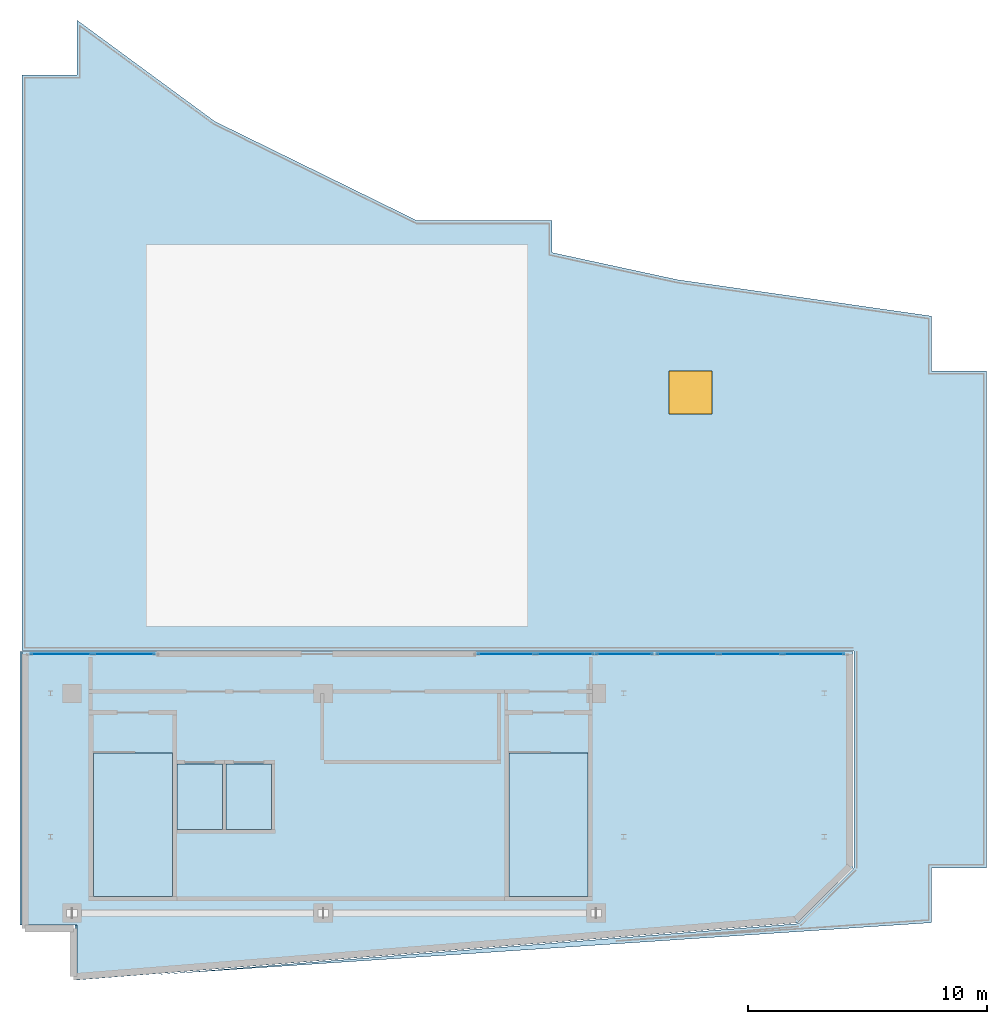
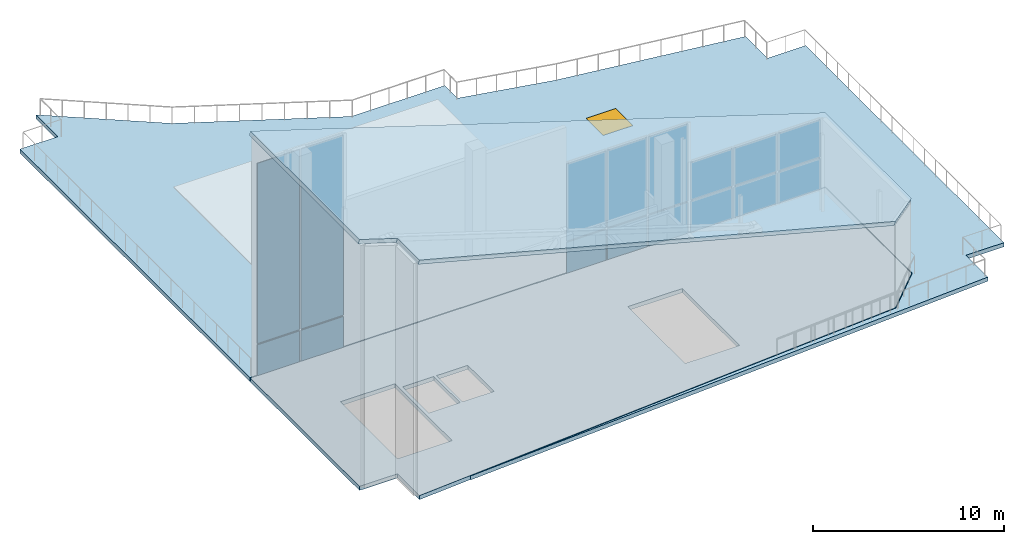
# One storey, part 6 of 9: 16 plates, 3 slabs, 1 window, 1 opening, 3 elements without a shape of their own.
"""IFC4 building model written with IfcOpenShell, lengths in metres."""

from ifc_helpers import new_model, si_unit, direction, frame, origin, origin_2d, place, context, subcontext, project, spatial, polyline, rectangle, outline, extrude, material, layer, layer_set, type_object, element, fill, aggregate, save


model = new_model("IFC4")

# Units and contexts
model_context = context("Model", 3, precision=1e-05, world=origin(), true_north=direction((0.0, 1.0)))
body_context = subcontext(model_context, "Body", "Model", "MODEL_VIEW")
ifc_project = project(units=[si_unit("LENGTHUNIT", "METRE"), si_unit("AREAUNIT", "SQUARE_METRE"), si_unit("VOLUMEUNIT", "CUBIC_METRE"), si_unit("PLANEANGLEUNIT", "RADIAN"), si_unit("MASSUNIT", "GRAM", prefix="KILO")], contexts=[model_context])

# Site, building, storey
site_placement = place(None, origin())
site = spatial("IfcSite", under=ifc_project, at=site_placement, CompositionType="ELEMENT")
building_placement = place(site_placement, origin())
building = spatial("IfcBuilding", under=site, at=building_placement, Name="Varnakote Quay Hospital", CompositionType="ELEMENT")
storey_placement = place(building_placement, frame((0.0, 0.0, 309.199951171875)))
storey = spatial("IfcBuildingStorey", under=building, at=storey_placement, Name="RF", CompositionType="ELEMENT", Elevation=309.199951171875)

# Curtain wall, plates
ifc_material_1 = material(Name="Anodised aluminium 6063-T6 Bronze", Category="aluminium")
ifc_layer_1 = layer(ifc_material_1, 0.25)
ifc_layer_set_1 = layer_set([ifc_layer_1], Name="Anodised aluminium 6063-T6 Bronze")
curtain_wall_type = type_object("IfcCurtainWallType", Name="CW-SYS-6", PredefinedType="NOTDEFINED", material=ifc_layer_set_1)
curtain_wall_1_placement = place(storey_placement, origin())
curtain_wall_1 = element("IfcCurtainWall", 1, at=curtain_wall_1_placement, inside=storey, type_object=curtain_wall_type, Name="RF Slanted-Cut Crown Curtain Wall 149", PredefinedType="NOTDEFINED")
ifc_material_2 = material(Name="Double-glazed acoustic laminated glass", Category="glass")
ifc_layer_2 = layer(ifc_material_2, 0.031982421875)
ifc_layer_set_2 = layer_set([ifc_layer_2], Name="Double-glazed acoustic laminated glass")
plate_type = type_object("IfcPlateType", Name="CW-PNL-GLZ-32", PredefinedType="CURTAIN_PANEL", material=ifc_layer_set_2)
plate_1_placement = place(storey_placement, frame((1.643798828125, 13.64990234375, 0.0849609375), z_axis=(0.0, 0.0, 1.0), x_axis=(1.0, 0.0, 0.0)))
plate_1 = element("IfcPlate", 2, at=plate_1_placement, type_object=plate_type, Name="CW6-RF-149 panel 1.1", PredefinedType="CURTAIN_PANEL", context=body_context, shape_type="SweptSolid", body=[
    extrude(rectangle(XDim=2.5576171875, YDim=0.031982421875, at=origin_2d()), origin(), (0.0, 0.0, 1.0), 1.972412109375),
])
plate_2_placement = place(storey_placement, frame((1.643798828125, 13.64990234375, 2.142578125), z_axis=(0.0, 0.0, 1.0), x_axis=(1.0, 0.0, 0.0)))
plate_2 = element("IfcPlate", 3, at=plate_2_placement, type_object=plate_type, Name="CW6-RF-149 panel 1.2", PredefinedType="CURTAIN_PANEL", context=body_context, shape_type="SweptSolid", body=[
    extrude(rectangle(XDim=2.5576171875, YDim=0.031982421875, at=origin_2d()), origin(), (0.0, 0.0, 1.0), 11.526611328125),
])
plate_3_placement = place(storey_placement, frame((4.2861328125, 13.64990234375, 0.0849609375), z_axis=(0.0, 0.0, 1.0), x_axis=(1.0, 0.0, 0.0)))
plate_3 = element("IfcPlate", 4, at=plate_3_placement, type_object=plate_type, Name="CW6-RF-149 panel 2.1", PredefinedType="CURTAIN_PANEL", context=body_context, shape_type="SweptSolid", body=[
    extrude(rectangle(XDim=2.5576171875, YDim=0.031982421875, at=origin_2d()), origin(), (0.0, 0.0, 1.0), 1.972412109375),
])
plate_4_placement = place(storey_placement, frame((4.2861328125, 13.64990234375, 2.142578125), z_axis=(0.0, 0.0, 1.0), x_axis=(1.0, 0.0, 0.0)))
plate_4 = element("IfcPlate", 5, at=plate_4_placement, type_object=plate_type, Name="CW6-RF-149 panel 2.2", PredefinedType="CURTAIN_PANEL", context=body_context, shape_type="SweptSolid", body=[
    extrude(rectangle(XDim=2.5576171875, YDim=0.031982421875, at=origin_2d()), origin(), (0.0, 0.0, 1.0), 11.526611328125),
])
aggregate(curtain_wall_1, [plate_1, plate_2, plate_3, plate_4])

curtain_wall_2_placement = place(storey_placement, origin())
curtain_wall_2 = element("IfcCurtainWall", 6, at=curtain_wall_2_placement, inside=storey, type_object=curtain_wall_type, Name="RF Slanted-Cut Crown Curtain Wall 150", PredefinedType="NOTDEFINED")
plate_5_placement = place(storey_placement, frame((20.271240234375, 13.64990234375, 0.0849609375), z_axis=(0.0, 0.0, 1.0), x_axis=(1.0, 0.0, 0.0)))
plate_5 = element("IfcPlate", 7, at=plate_5_placement, type_object=plate_type, Name="CW6-RF-150 panel 1.1", PredefinedType="CURTAIN_PANEL", context=body_context, shape_type="SweptSolid", body=[
    extrude(rectangle(XDim=2.37255859375, YDim=0.031982421875, at=origin_2d()), origin(), (0.0, 0.0, 1.0), 1.972412109375),
])
plate_6_placement = place(storey_placement, frame((20.271240234375, 13.64990234375, 2.142578125), z_axis=(0.0, 0.0, 1.0), x_axis=(1.0, 0.0, 0.0)))
plate_6 = element("IfcPlate", 8, at=plate_6_placement, type_object=plate_type, Name="CW6-RF-150 panel 1.2", PredefinedType="CURTAIN_PANEL", context=body_context, shape_type="SweptSolid", body=[
    extrude(rectangle(XDim=2.37255859375, YDim=0.031982421875, at=origin_2d()), origin(), (0.0, 0.0, 1.0), 4.93603515625),
])
plate_7_placement = place(storey_placement, frame((22.75, 13.64990234375, 0.0849609375), z_axis=(0.0, 0.0, 1.0), x_axis=(1.0, 0.0, 0.0)))
plate_7 = element("IfcPlate", 9, at=plate_7_placement, type_object=plate_type, Name="CW6-RF-150 panel 2.1", PredefinedType="CURTAIN_PANEL", context=body_context, shape_type="SweptSolid", body=[
    extrude(rectangle(XDim=2.4150390625, YDim=0.031982421875, at=origin_2d()), origin(), (0.0, 0.0, 1.0), 1.972412109375),
])
plate_8_placement = place(storey_placement, frame((22.75, 13.64990234375, 2.142578125), z_axis=(0.0, 0.0, 1.0), x_axis=(1.0, 0.0, 0.0)))
plate_8 = element("IfcPlate", 10, at=plate_8_placement, type_object=plate_type, Name="CW6-RF-150 panel 2.2", PredefinedType="CURTAIN_PANEL", context=body_context, shape_type="SweptSolid", body=[
    extrude(rectangle(XDim=2.4150390625, YDim=0.031982421875, at=origin_2d()), origin(), (0.0, 0.0, 1.0), 4.93603515625),
])
plate_9_placement = place(storey_placement, frame((25.228759765625, 13.64990234375, 0.0849609375), z_axis=(0.0, 0.0, 1.0), x_axis=(1.0, 0.0, 0.0)))
plate_9 = element("IfcPlate", 11, at=plate_9_placement, type_object=plate_type, Name="CW6-RF-150 panel 3.1", PredefinedType="CURTAIN_PANEL", context=body_context, shape_type="SweptSolid", body=[
    extrude(rectangle(XDim=2.37255859375, YDim=0.031982421875, at=origin_2d()), origin(), (0.0, 0.0, 1.0), 1.972412109375),
])
plate_10_placement = place(storey_placement, frame((25.228759765625, 13.64990234375, 2.142578125), z_axis=(0.0, 0.0, 1.0), x_axis=(1.0, 0.0, 0.0)))
plate_10 = element("IfcPlate", 12, at=plate_10_placement, type_object=plate_type, Name="CW6-RF-150 panel 3.2", PredefinedType="CURTAIN_PANEL", context=body_context, shape_type="SweptSolid", body=[
    extrude(rectangle(XDim=2.37255859375, YDim=0.031982421875, at=origin_2d()), origin(), (0.0, 0.0, 1.0), 4.93603515625),
])
aggregate(curtain_wall_2, [plate_5, plate_6, plate_7, plate_8, plate_9, plate_10])

curtain_wall_3_placement = place(storey_placement, origin())
curtain_wall_3 = element("IfcCurtainWall", 13, at=curtain_wall_3_placement, inside=storey, type_object=curtain_wall_type, Name="RF Slanted-Cut Crown Curtain Wall 151", PredefinedType="NOTDEFINED")
plate_11_placement = place(storey_placement, frame((27.85791015625, 13.64990234375, 0.0849609375), z_axis=(0.0, 0.0, 1.0), x_axis=(1.0, 0.0, 0.0)))
plate_11 = element("IfcPlate", 14, at=plate_11_placement, type_object=plate_type, Name="CW6-RF-151 panel 1.1", PredefinedType="CURTAIN_PANEL", context=body_context, shape_type="SweptSolid", body=[
    extrude(rectangle(XDim=2.5458984375, YDim=0.031982421875, at=origin_2d()), origin(), (0.0, 0.0, 1.0), 1.972412109375),
])
plate_12_placement = place(storey_placement, frame((27.85791015625, 13.64990234375, 2.142578125), z_axis=(0.0, 0.0, 1.0), x_axis=(1.0, 0.0, 0.0)))
plate_12 = element("IfcPlate", 15, at=plate_12_placement, type_object=plate_type, Name="CW6-RF-151 panel 1.2", PredefinedType="CURTAIN_PANEL", context=body_context, shape_type="SweptSolid", body=[
    extrude(rectangle(XDim=2.5458984375, YDim=0.031982421875, at=origin_2d()), origin(), (0.0, 0.0, 1.0), 2.40087890625),
])
plate_13_placement = place(storey_placement, frame((30.510009765625, 13.64990234375, 0.0849609375), z_axis=(0.0, 0.0, 1.0), x_axis=(1.0, 0.0, 0.0)))
plate_13 = element("IfcPlate", 16, at=plate_13_placement, type_object=plate_type, Name="CW6-RF-151 panel 2.1", PredefinedType="CURTAIN_PANEL", context=body_context, shape_type="SweptSolid", body=[
    extrude(rectangle(XDim=2.58837890625, YDim=0.031982421875, at=origin_2d()), origin(), (0.0, 0.0, 1.0), 1.972412109375),
])
plate_14_placement = place(storey_placement, frame((30.510009765625, 13.64990234375, 2.142578125), z_axis=(0.0, 0.0, 1.0), x_axis=(1.0, 0.0, 0.0)))
plate_14 = element("IfcPlate", 17, at=plate_14_placement, type_object=plate_type, Name="CW6-RF-151 panel 2.2", PredefinedType="CURTAIN_PANEL", context=body_context, shape_type="SweptSolid", body=[
    extrude(rectangle(XDim=2.58837890625, YDim=0.031982421875, at=origin_2d()), origin(), (0.0, 0.0, 1.0), 2.40087890625),
])
plate_15_placement = place(storey_placement, frame((33.162109375, 13.64990234375, 0.0849609375), z_axis=(0.0, 0.0, 1.0), x_axis=(1.0, 0.0, 0.0)))
plate_15 = element("IfcPlate", 18, at=plate_15_placement, type_object=plate_type, Name="CW6-RF-151 panel 3.1", PredefinedType="CURTAIN_PANEL", context=body_context, shape_type="SweptSolid", body=[
    extrude(rectangle(XDim=2.5458984375, YDim=0.031982421875, at=origin_2d()), origin(), (0.0, 0.0, 1.0), 1.972412109375),
])
plate_16_placement = place(storey_placement, frame((33.162109375, 13.64990234375, 2.142578125), z_axis=(0.0, 0.0, 1.0), x_axis=(1.0, 0.0, 0.0)))
plate_16 = element("IfcPlate", 19, at=plate_16_placement, type_object=plate_type, Name="CW6-RF-151 panel 3.2", PredefinedType="CURTAIN_PANEL", context=body_context, shape_type="SweptSolid", body=[
    extrude(rectangle(XDim=2.5458984375, YDim=0.031982421875, at=origin_2d()), origin(), (0.0, 0.0, 1.0), 2.40087890625),
])
aggregate(curtain_wall_3, [plate_11, plate_12, plate_13, plate_14, plate_15, plate_16])

# Slabs
ifc_material_3 = material(Name="Concrete N50 (f'c 50 MPa)", Category="concrete")
ifc_layer_3 = layer(ifc_material_3, 0.260009765625)
ifc_layer_set_3 = layer_set([ifc_layer_3], Name="Concrete N50 (f'c 50 MPa)")
slab_type_1 = type_object("IfcSlabType", Name="SLB-BSMT-260", PredefinedType="FLOOR", material=ifc_layer_set_3)
slab_1_placement = place(storey_placement, frame((0.0, 0.0, -0.260009765625)))
element("IfcSlab", 20, at=slab_1_placement, inside=storey, type_object=slab_type_1, Name="RF Crown Headhouse & Transfer Floor Slab", PredefinedType="FLOOR", context=body_context, shape_type="SweptSolid", body=[
    extrude(outline(polyline([(0.0, 2.300048828125), (2.300048828125, 2.300048828125), (2.300048828125, 0.0), (32.5, 2.39990234375), (34.800048828125, 4.699951171875), (34.800048828125, 13.75), (0.0, 13.75), (0.0, 2.300048828125)]), holes=[polyline([(3.0, 3.5), (6.300048828125, 3.5), (6.300048828125, 9.49951171875), (3.0, 9.49951171875), (3.0, 3.5)]), polyline([(20.39990234375, 3.5), (23.699951171875, 3.5), (23.699951171875, 9.49951171875), (20.39990234375, 9.49951171875), (20.39990234375, 3.5)]), polyline([(6.5, 6.300048828125), (8.39990234375, 6.300048828125), (8.39990234375, 9.050048828125), (6.5, 9.050048828125), (6.5, 6.300048828125)]), polyline([(8.550048828125, 6.300048828125), (10.449951171875, 6.300048828125), (10.449951171875, 9.050048828125), (8.550048828125, 9.050048828125), (8.550048828125, 6.300048828125)])]), origin(), (0.0, 0.0, 1.0), 0.260009765625),
])
ifc_material_4 = material(Name="Concrete N50 (f'c 50 MPa)", Category="concrete")
ifc_layer_4 = layer(ifc_material_4, 0.260009765625)
ifc_layer_set_4 = layer_set([ifc_layer_4], Name="Concrete N50 (f'c 50 MPa)")
slab_type_2 = type_object("IfcSlabType", Name="SLB-CROWN-SLOPED-260", PredefinedType="ROOF", material=ifc_layer_set_4)
slab_2_placement = place(storey_placement, frame((0.0, 2.300048828125, 15.800048828125), z_axis=(0.301393060042, 0.0, 0.95349998603), x_axis=(0.95349998603, 0.0, -0.301393060042)))
element("IfcSlab", 21, at=slab_2_placement, inside=storey, type_object=slab_type_2, Name="Slanted-Cut Crown Roof Slab", PredefinedType="ROOF", context=body_context, shape_type="SweptSolid", body=[
    extrude(outline(polyline([(0.0, 0.0), (2.4122245852515367, 0.0), (2.4122245852515367, -2.300048828125), (34.08494514665837, 0.099853515625), (36.4971697319099, 2.39990234375), (36.4971697319099, 11.449951171875), (0.0, 11.449951171875), (0.0, 0.0)])), origin(), (0.0, 0.0, -1.0), 0.260009765625),
])

# Slab, opening, window
ifc_material_5 = material(Name="Concrete N65 (f'c 65 MPa)", Category="concrete")
ifc_layer_5 = layer(ifc_material_5, 0.260009765625)
ifc_layer_set_5 = layer_set([ifc_layer_5], Name="Concrete N65 (f'c 65 MPa)")
slab_type_3 = type_object("IfcSlabType", Name="SLB-HELIDECK-260", PredefinedType="ROOF", material=ifc_layer_set_5)
slab_3_placement = place(storey_placement, frame((0.0, 0.0, -0.260009765625)))
slab_3 = element("IfcSlab", 22, at=slab_3_placement, inside=storey, type_object=slab_type_3, Name="AW139 Rooftop Trauma Helideck & Crown Roof Slab", PredefinedType="ROOF", context=body_context, shape_type="SweptSolid", body=[
    extrude(outline(polyline([(27.471923828125, 29.320068359375), (22.199951171875, 30.460205078125), (22.199951171875, 31.800048828125), (16.5439453125, 31.800048828125), (8.080078125, 35.951904296875), (2.300048828125, 40.199951171875), (2.300048828125, 37.89990234375), (0.0, 37.89990234375), (0.0, 13.7900390625), (34.800048828125, 13.7900390625), (34.803955078125, 13.789794921875), (34.807861328125, 13.789306640625), (34.8115234375, 13.788330078125), (34.815185546875, 13.787109375), (34.81884765625, 13.785400390625), (34.822265625, 13.783203125), (34.825439453125, 13.781005859375), (34.828369140625, 13.7783203125), (34.830810546875, 13.775390625), (34.833251953125, 13.772216796875), (34.835205078125, 13.768798828125), (34.8369140625, 13.765380859375), (34.83837890625, 13.76171875), (34.839111328125, 13.7578125), (34.83984375, 13.75390625), (34.840087890625, 13.75), (34.840087890625, 4.699951171875), (34.83984375, 4.696044921875), (34.839111328125, 4.692138671875), (34.83837890625, 4.6884765625), (34.8369140625, 4.684814453125), (34.835205078125, 4.68115234375), (34.833251953125, 4.677734375), (34.830810546875, 4.674560546875), (34.828369140625, 4.671630859375), (32.5283203125, 2.37158203125), (32.525390625, 2.368896484375), (32.52197265625, 2.36669921875), (32.5185546875, 2.364501953125), (32.514892578125, 2.36279296875), (32.510986328125, 2.361572265625), (32.507080078125, 2.360595703125), (32.503173828125, 2.360107421875), (5.52783203125, 0.21630859375), (38.10009765625, 2.39990234375), (38.10009765625, 4.699951171875), (40.39990234375, 4.699951171875), (40.39990234375, 25.5), (38.10009765625, 25.5), (38.10009765625, 27.800048828125), (27.471923828125, 29.320068359375)])), origin(), (0.0, 0.0, 1.0), 0.260009765625),
])
opening_placement = place(slab_3_placement, frame((28.0, 24.60009765625, 0.0)))
opening = element("IfcOpeningElement", 23, at=opening_placement, cuts=slab_3, Name="Opening SK-RF-1", PredefinedType="OPENING", context=body_context, shape_type="SweptSolid", body=[
    extrude(rectangle(XDim=1.800048828125, YDim=1.800048828125, at=origin_2d()), origin(), (0.0, 0.0, 1.0), 0.260009765625),
])
ifc_material_6 = material(Name="Double-glazed laminated skylight glass", Category="glass")
window_type = type_object("IfcWindowType", Name="WIN-SKY-1800x1800", PartitioningType="SINGLE_PANEL", PredefinedType="SKYLIGHT", material=ifc_material_6)
window_placement = place(opening_placement, frame((0.0, 0.0, 0.2099609375)))
window = element("IfcWindow", 24, at=window_placement, inside=storey, type_object=window_type, Name="RF Crown Plant Maintenance Roof Hatch 1", OverallHeight=1.800048828125, OverallWidth=1.800048828125, PartitioningType="SINGLE_PANEL", PredefinedType="SKYLIGHT", context=body_context, shape_type="SweptSolid", body=[
    extrude(rectangle(XDim=1.800048828125, YDim=1.800048828125, at=origin_2d()), origin(), (0.0, 0.0, 1.0), 0.050048828125),
])
fill(opening, window)

save(model, "model.ifc")
